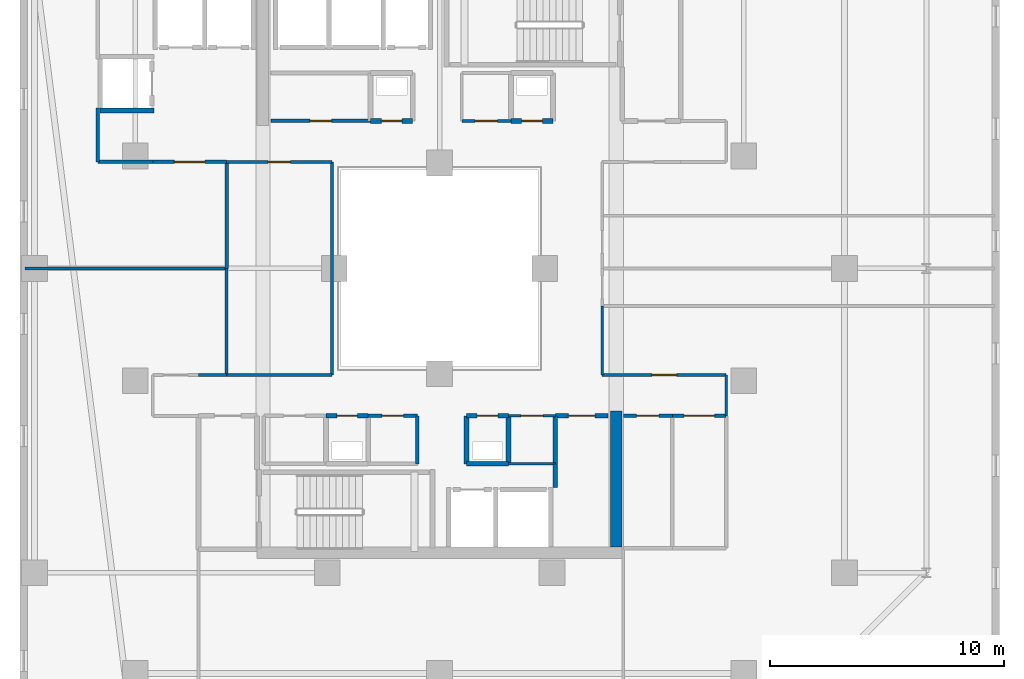
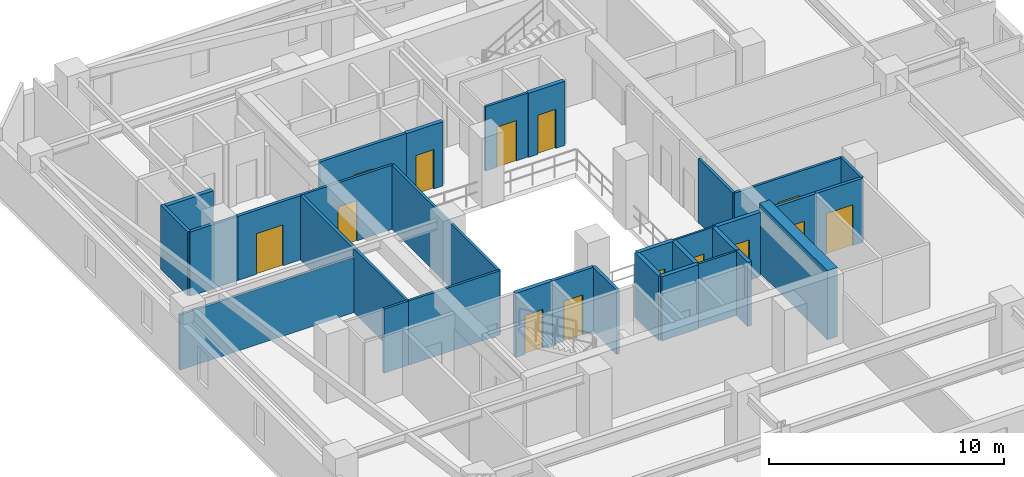
# One storey, part 20 of 33: 33 walls, 14 doors, 14 openings.
"""IFC4 building model written with IfcOpenShell, lengths in metres."""

import ifcopenshell
import ifcopenshell.guid

model = None  # the IFC model being written
_history = None  # IfcOwnerHistory: only IFC2X3 demands one
_inside = {}  # id of a spatial element -> (the spatial element, [elements in it])
_under = {}  # id of a project, library or spatial element -> (it, [spatial elements below it])
_declared = {}  # id of a project -> (the project, [libraries it declares])
_typed = {}  # id of a type object -> (the type object, [elements of that type])
_made_of = {}  # id of a material, layer set ... -> (it, [elements and type objects made of it])


def new_model(schema):
    """Start an empty IFC model of exactly this schema.

    Asked for "IFC4X3", IfcOpenShell would pick the latest addendum, in which some entities
    have other attributes; the version numbers below select the first issue.
    IFC2X3 requires an IfcOwnerHistory on every rooted entity: one is made here for all.
    """
    global model, _history
    if schema == "IFC4X3":
        model = ifcopenshell.file(schema_version=(4, 3, 0, 0))
    else:
        model = ifcopenshell.file(schema=schema)
    _inside.clear()
    _under.clear()
    _declared.clear()
    _typed.clear()
    _made_of.clear()
    _history = None
    if model.schema == "IFC2X3":
        org = make("IfcOrganization", Name="unknown")
        user = make(
            "IfcPersonAndOrganization",
            ThePerson=make("IfcPerson", FamilyName="unknown"),
            TheOrganization=org,
        )
        app = make(
            "IfcApplication",
            ApplicationDeveloper=org,
            Version="unknown",
            ApplicationFullName="unknown",
            ApplicationIdentifier="unknown",
        )
        _history = make(
            "IfcOwnerHistory",
            OwningUser=user,
            OwningApplication=app,
            ChangeAction="ADDED",
            CreationDate=0,
        )
    return model


def make(cls, **values):
    """One entity of the class cls with the attributes given. An attribute that is None is left unset."""
    return model.create_entity(
        cls, **{name: value for name, value in values.items() if value is not None}
    )


def rooted(cls, **values):
    """An entity with a GlobalId (a new one), such as an element, a storey or a relation."""
    return make(cls, GlobalId=ifcopenshell.guid.new(), OwnerHistory=_history, **values)


def si_unit(unit_type, name, prefix=None):
    """IfcSIUnit, for example si_unit("LENGTHUNIT", "METRE", prefix="MILLI")."""
    return make("IfcSIUnit", UnitType=unit_type, Prefix=prefix, Name=name)


def assignment(units):
    """IfcUnitAssignment: the units of a project."""
    return None if units is None else make("IfcUnitAssignment", Units=units)


def point(xyz):
    """IfcCartesianPoint."""
    return None if xyz is None else make("IfcCartesianPoint", Coordinates=xyz)


def direction(xyz):
    """IfcDirection."""
    return None if xyz is None else make("IfcDirection", DirectionRatios=xyz)


def frame(location, z_axis=None, x_axis=None):
    """IfcAxis2Placement3D, a coordinate frame: its origin and axes. An axis left out is left unset."""
    return make(
        "IfcAxis2Placement3D",
        Location=point(location),
        Axis=direction(z_axis),
        RefDirection=direction(x_axis),
    )


def frame_2d(location, x_axis=None):
    """IfcAxis2Placement2D, a coordinate frame in the plane: its origin and x axis."""
    return make(
        "IfcAxis2Placement2D", Location=point(location), RefDirection=direction(x_axis)
    )


def origin():
    """The frame at (0, 0, 0) with its axes left unset."""
    return frame((0.0, 0.0, 0.0))


def place(relative_to, where):
    """IfcLocalPlacement: puts the frame where relative to a parent placement (None: the world)."""
    return make(
        "IfcLocalPlacement", PlacementRelTo=relative_to, RelativePlacement=where
    )


def context(
    kind, dimensions, precision=None, world=None, true_north=None, identifier=None
):
    """IfcGeometricRepresentationContext, for example the 3D "Model" context."""
    return make(
        "IfcGeometricRepresentationContext",
        ContextIdentifier=identifier,
        ContextType=kind,
        CoordinateSpaceDimension=dimensions,
        Precision=precision,
        WorldCoordinateSystem=world,
        TrueNorth=true_north,
    )


def subcontext(parent, identifier, kind, view, scale=None):
    """IfcGeometricRepresentationSubContext, for example "Body" below "Model"."""
    return make(
        "IfcGeometricRepresentationSubContext",
        ContextIdentifier=identifier,
        ContextType=kind,
        ParentContext=parent,
        TargetScale=scale,
        TargetView=view,
    )


def project(units=None, contexts=None):
    """IfcProject with its units and contexts."""
    return rooted(
        "IfcProject",
        Name="project",
        RepresentationContexts=contexts,
        UnitsInContext=assignment(units),
    )


def spatial(cls, under=None, at=None, **own):
    """A site, building, storey or space (cls), placed at a placement, below another one or the project."""
    s = rooted(cls, ObjectPlacement=at, **own)
    if under is not None:
        _under.setdefault(under.id(), (under, []))[1].append(s)
    return s


def profile(cls, at=None, kind="AREA", **sizes):
    """A parametric profile (cls). Its sizes go by their IFC names, for example OverallWidth=200.0."""
    return make(cls, ProfileType=kind, Position=at, **sizes)


def rectangle(**sizes):
    """IfcRectangleProfileDef."""
    return profile("IfcRectangleProfileDef", **sizes)


def extrude(swept, where, along, depth):
    """IfcExtrudedAreaSolid: the profile swept, set in the frame where, extruded along a direction by depth."""
    return make(
        "IfcExtrudedAreaSolid",
        SweptArea=swept,
        Position=where,
        ExtrudedDirection=direction(along),
        Depth=depth,
    )


def shape(context_of_items, identifier, shape_type, items):
    """IfcShapeRepresentation: the items that make up one representation, for example the "Body"."""
    return make(
        "IfcShapeRepresentation",
        ContextOfItems=context_of_items,
        RepresentationIdentifier=identifier,
        RepresentationType=shape_type,
        Items=items,
    )


def material(Name=None, Category=None):
    """IfcMaterial."""
    return make("IfcMaterial", Name=Name, Category=Category)


def layer(
    of_material, thickness, ventilated=None, Name=None, Category=None, Priority=None
):
    """IfcMaterialLayer: one layer of a wall or slab, of a material (None: an air gap)."""
    return make(
        "IfcMaterialLayer",
        Material=of_material,
        LayerThickness=thickness,
        IsVentilated=ventilated,
        Name=Name,
        Category=Category,
        Priority=Priority,
    )


def layer_set(layers, Name=None):
    """IfcMaterialLayerSet."""
    return make("IfcMaterialLayerSet", MaterialLayers=layers, LayerSetName=Name)


def made_of(thing, what):
    """Note that an element or type object is made of a material, layer set ...; save() writes the relation."""
    if what is not None:
        _made_of.setdefault(what.id(), (what, []))[1].append(thing)
    return thing


def type_object(cls, material=None, **own):
    """A type object (cls), such as IfcWallType, which elements share."""
    return made_of(rooted(cls, **own), material)


def element(
    cls,
    number,
    at=None,
    inside=None,
    cuts=None,
    type_object=None,
    material=None,
    context=None,
    identifier="Body",
    shape_type=None,
    held_by="IfcProductDefinitionShape",
    body=None,
    shapes=None,
    **own,
):
    """One element of the class cls, such as IfcWall. Its Tag is "e" and its number.

    at: its placement. inside: the storey or other place that contains it. cuts: it is an
    opening in that element (IfcRelVoidsElement). A single representation is given by context,
    identifier, shape_type and body (its items); several are given by shapes. held_by: the class
    of the entity that holds the representations. save() writes the other relations.
    """
    e = rooted(cls, Tag="e%d" % number, ObjectPlacement=at, **own)
    if body is not None:
        shapes = [shape(context, identifier, shape_type, body)]
    if shapes is not None:
        e.Representation = make(held_by, Representations=shapes)
    if inside is not None:
        _inside.setdefault(inside.id(), (inside, []))[1].append(e)
    if cuts is not None:
        rooted(
            "IfcRelVoidsElement", RelatingBuildingElement=cuts, RelatedOpeningElement=e
        )
    if type_object is not None:
        _typed.setdefault(type_object.id(), (type_object, []))[1].append(e)
    return made_of(e, material)


def fill(opening, filler):
    """IfcRelFillsElement: the door or window that sits in an opening."""
    return rooted(
        "IfcRelFillsElement",
        RelatingOpeningElement=opening,
        RelatedBuildingElement=filler,
    )


def aggregate(whole, parts):
    """IfcRelAggregates: a whole, such as a stair, and the parts it consists of."""
    return rooted("IfcRelAggregates", RelatingObject=whole, RelatedObjects=parts)


def save(model, path):
    """Write the relations noted so far, then the file.

    IfcRelAggregates (storeys below a building ...), IfcRelContainedInSpatialStructure (elements
    in a storey), IfcRelDefinesByType, IfcRelAssociatesMaterial and IfcRelDeclares: one each for
    every whole, place, type object, material and project.
    """
    for whole, parts in _under.values():
        aggregate(whole, parts)
    for where, things in _inside.values():
        rooted(
            "IfcRelContainedInSpatialStructure",
            RelatedElements=things,
            RelatingStructure=where,
        )
    for kind, things in _typed.values():
        rooted("IfcRelDefinesByType", RelatedObjects=things, RelatingType=kind)
    for what, things in _made_of.values():
        rooted("IfcRelAssociatesMaterial", RelatedObjects=things, RelatingMaterial=what)
    for by, libraries in _declared.values():
        rooted("IfcRelDeclares", RelatingContext=by, RelatedDefinitions=libraries)
    model.write(path)


model = new_model("IFC4")

# Units and contexts
model_context = context("Model", 3, precision=1e-05, world=origin(), true_north=direction((0.0, 1.0)))
body_context = subcontext(model_context, "Body", "Model", "MODEL_VIEW")
ifc_project = project(units=[si_unit("LENGTHUNIT", "METRE"), si_unit("AREAUNIT", "SQUARE_METRE"), si_unit("VOLUMEUNIT", "CUBIC_METRE"), si_unit("PLANEANGLEUNIT", "RADIAN"), si_unit("MASSUNIT", "GRAM", prefix="KILO")], contexts=[model_context])

# Site, building, storey
site_placement = place(None, origin())
site = spatial("IfcSite", under=ifc_project, at=site_placement, CompositionType="ELEMENT")
building_placement = place(site_placement, origin())
building = spatial("IfcBuilding", under=site, at=building_placement, Name="Thornwick Lancets Civic Towers", CompositionType="ELEMENT")
storey_placement = place(building_placement, frame((0.0, 0.0, 163.5)))
storey = spatial("IfcBuildingStorey", under=building, at=storey_placement, Name="L43", CompositionType="ELEMENT", Elevation=163.5)

# Walls
ifc_material_1 = material(Name="Concrete blockwork C40/50", Category="masonry")
ifc_layer_1 = layer(ifc_material_1, 0.199951171875, Name="Concrete blockwork C40/50")
ifc_layer_set_1 = layer_set([ifc_layer_1], Name="Concrete blockwork C40/50")
wall_type_1 = type_object("IfcWallType", Name="WALL_COMP_200", PredefinedType="STANDARD", material=ifc_layer_set_1)
wall_1_placement = place(storey_placement, frame((11.001953125, 33.75, 0.0), z_axis=(0.0, 0.0, 1.0), x_axis=(1.0, 0.0, 0.0)))
element("IfcWall", 1, at=wall_1_placement, inside=storey, type_object=wall_type_1, Name="L43 Hoistway Shaft Wall PL-AM3 S", PredefinedType="STANDARD", context=body_context, shape_type="SweptSolid", body=[
    extrude(rectangle(XDim=2.296142578125, YDim=0.199951171875, at=frame_2d((1.14794921875, 0.0))), origin(), (0.0, 0.0, 1.0), 3.340087890625),
])
wall_2_placement = place(storey_placement, frame((26.64990234375, 18.64990234375, 0.0), z_axis=(0.0, 0.0, 1.0), x_axis=(1.0, 0.0, 0.0)))
element("IfcWall", 2, at=wall_2_placement, inside=storey, type_object=wall_type_1, Name="L43 Partition L43-A-DUCT1 E1", PredefinedType="STANDARD", context=body_context, shape_type="SweptSolid", body=[
    extrude(rectangle(XDim=1.800048828125, YDim=0.199951171875, at=frame_2d((0.89990234375, 0.0))), origin(), (0.0, 0.0, 1.0), 3.340087890625),
])
wall_3_placement = place(storey_placement, frame((28.449951171875, 18.64990234375, 0.0), z_axis=(0.0, 0.0, 1.0), x_axis=(0.0, 1.0, 0.0)))
element("IfcWall", 3, at=wall_3_placement, inside=storey, type_object=wall_type_1, Name="L43 Partition L43-A-DUCT1 E2", PredefinedType="STANDARD", context=body_context, shape_type="SweptSolid", body=[
    extrude(rectangle(XDim=2.050048828125, YDim=0.199951171875, at=frame_2d((1.02490234375, 0.0))), origin(), (0.0, 0.0, 1.0), 3.340087890625),
])

# Wall, opening, door
wall_4_placement = place(storey_placement, frame((28.449951171875, 20.699951171875, 0.0), z_axis=(0.0, 0.0, 1.0), x_axis=(-1.0, 0.0, 0.0)))
wall_4 = element("IfcWall", 4, at=wall_4_placement, inside=storey, type_object=wall_type_1, Name="L43 Partition L43-A-DUCT1 E3", PredefinedType="STANDARD", context=body_context, shape_type="SweptSolid", body=[
    extrude(rectangle(XDim=1.800048828125, YDim=0.199951171875, at=frame_2d((0.89990234375, 0.0))), origin(), (0.0, 0.0, 1.0), 3.340087890625),
])
opening_1_placement = place(wall_4_placement, frame((0.4599609375, 0.0, 0.0)))
opening_1 = element("IfcOpeningElement", 5, at=opening_1_placement, cuts=wall_4, Name="Opening D-L43-1913", PredefinedType="OPENING", context=body_context, shape_type="SweptSolid", body=[
    extrude(rectangle(XDim=0.8798828125, YDim=2.0400390625, at=frame_2d((0.43994140625, 1.02001953125))), frame((0.0, 0.10986328125, 0.0), z_axis=(0.0, -1.0, 0.0), x_axis=(1.0, 0.0, 0.0)), (0.0, 0.0, 1.0), 0.219970703125),
])
ifc_material_2 = material(Name="Steel riser access doorset", Category="steel")
door_type_1 = type_object("IfcDoorType", Name="DOOR_RISER_850", OperationType="NOTDEFINED", PredefinedType="DOOR", material=ifc_material_2)
door_1_placement = place(opening_1_placement, origin())
door_1 = element("IfcDoor", 6, at=door_1_placement, inside=storey, type_object=door_type_1, Name="L43 South Service Duct 1 Door", OperationType="SINGLE_SWING_RIGHT", OverallHeight=2.0400390625, OverallWidth=0.8798828125, PredefinedType="DOOR", context=body_context, shape_type="SweptSolid", body=[
    extrude(rectangle(XDim=0.8798828125, YDim=2.0400390625, at=frame_2d((0.43994140625, 1.02001953125))), frame((0.0, 0.02490234375, 0.0), z_axis=(0.0, -1.0, 0.0), x_axis=(1.0, 0.0, 0.0)), (0.0, 0.0, 1.0), 0.050048828125),
])
fill(opening_1, door_1)

# Wall
wall_5_placement = place(storey_placement, frame((26.64990234375, 20.699951171875, 0.0), z_axis=(0.0, 0.0, 1.0), x_axis=(0.0, -1.0, 0.0)))
element("IfcWall", 7, at=wall_5_placement, inside=storey, type_object=wall_type_1, Name="L43 Partition L43-A-DUCT1 E4", PredefinedType="STANDARD", context=body_context, shape_type="SweptSolid", body=[
    extrude(rectangle(XDim=2.050048828125, YDim=0.199951171875, at=frame_2d((1.02490234375, 0.0))), origin(), (0.0, 0.0, 1.0), 3.340087890625),
])

# Wall, opening, door
wall_6_placement = place(storey_placement, frame((22.449951171875, 20.699951171875, 0.0), z_axis=(0.0, 0.0, 1.0), x_axis=(-1.0, 0.0, 0.0)))
wall_6 = element("IfcWall", 8, at=wall_6_placement, inside=storey, type_object=wall_type_1, Name="L43 Partition L43-A-RISER1 E3", PredefinedType="STANDARD", context=body_context, shape_type="SweptSolid", body=[
    extrude(rectangle(XDim=1.800048828125, YDim=0.199951171875, at=frame_2d((0.89990234375, 0.0))), origin(), (0.0, 0.0, 1.0), 3.340087890625),
])
opening_2_placement = place(wall_6_placement, frame((0.4599609375, 0.0, 0.0)))
opening_2 = element("IfcOpeningElement", 9, at=opening_2_placement, cuts=wall_6, Name="Opening D-L43-1914", PredefinedType="OPENING", context=body_context, shape_type="SweptSolid", body=[
    extrude(rectangle(XDim=0.8798828125, YDim=2.0400390625, at=frame_2d((0.43994140625, 1.02001953125))), frame((0.0, 0.10986328125, 0.0), z_axis=(0.0, -1.0, 0.0), x_axis=(1.0, 0.0, 0.0)), (0.0, 0.0, 1.0), 0.219970703125),
])
door_2_placement = place(opening_2_placement, origin())
door_2 = element("IfcDoor", 10, at=door_2_placement, inside=storey, type_object=door_type_1, Name="L43 South Electrical Riser 1 Door", OperationType="SINGLE_SWING_LEFT", OverallHeight=2.0400390625, OverallWidth=0.8798828125, PredefinedType="DOOR", context=body_context, shape_type="SweptSolid", body=[
    extrude(rectangle(XDim=0.8798828125, YDim=2.0400390625, at=frame_2d((0.43994140625, 1.02001953125))), frame((0.0, 0.02490234375, 0.0), z_axis=(0.0, -1.0, 0.0), x_axis=(1.0, 0.0, 0.0)), (0.0, 0.0, 1.0), 0.050048828125),
])
fill(opening_2, door_2)

wall_7_placement = place(storey_placement, frame((22.550048828125, 33.300048828125, 0.0), z_axis=(0.0, 0.0, 1.0), x_axis=(1.0, 0.0, 0.0)))
wall_7 = element("IfcWall", 11, at=wall_7_placement, inside=storey, type_object=wall_type_1, Name="L43 Partition L43-A-DUCT2 E1", PredefinedType="STANDARD", context=body_context, shape_type="SweptSolid", body=[
    extrude(rectangle(XDim=1.800048828125, YDim=0.199951171875, at=frame_2d((0.89990234375, 0.0))), origin(), (0.0, 0.0, 1.0), 3.340087890625),
])
opening_3_placement = place(wall_7_placement, frame((0.4599609375, 0.0, 0.0)))
opening_3 = element("IfcOpeningElement", 12, at=opening_3_placement, cuts=wall_7, Name="Opening D-L43-1915", PredefinedType="OPENING", context=body_context, shape_type="SweptSolid", body=[
    extrude(rectangle(XDim=0.8798828125, YDim=2.0400390625, at=frame_2d((0.43994140625, 1.02001953125))), frame((0.0, 0.10986328125, 0.0), z_axis=(0.0, -1.0, 0.0), x_axis=(1.0, 0.0, 0.0)), (0.0, 0.0, 1.0), 0.219970703125),
])
door_3_placement = place(opening_3_placement, origin())
door_3 = element("IfcDoor", 13, at=door_3_placement, inside=storey, type_object=door_type_1, Name="L43 North Service Duct 2 Door", OperationType="SINGLE_SWING_RIGHT", OverallHeight=2.0400390625, OverallWidth=0.8798828125, PredefinedType="DOOR", context=body_context, shape_type="SweptSolid", body=[
    extrude(rectangle(XDim=0.8798828125, YDim=2.0400390625, at=frame_2d((0.43994140625, 1.02001953125))), frame((0.0, 0.02490234375, 0.0), z_axis=(0.0, -1.0, 0.0), x_axis=(1.0, 0.0, 0.0)), (0.0, 0.0, 1.0), 0.050048828125),
])
fill(opening_3, door_3)

wall_8_placement = place(storey_placement, frame((28.550048828125, 33.300048828125, 0.0), z_axis=(0.0, 0.0, 1.0), x_axis=(1.0, 0.0, 0.0)))
wall_8 = element("IfcWall", 14, at=wall_8_placement, inside=storey, type_object=wall_type_1, Name="L43 Partition L43-A-RISER2 E1", PredefinedType="STANDARD", context=body_context, shape_type="SweptSolid", body=[
    extrude(rectangle(XDim=1.800048828125, YDim=0.199951171875, at=frame_2d((0.89990234375, 0.0))), origin(), (0.0, 0.0, 1.0), 3.340087890625),
])
opening_4_placement = place(wall_8_placement, frame((0.4599609375, 0.0, 0.0)))
opening_4 = element("IfcOpeningElement", 15, at=opening_4_placement, cuts=wall_8, Name="Opening D-L43-1916", PredefinedType="OPENING", context=body_context, shape_type="SweptSolid", body=[
    extrude(rectangle(XDim=0.8798828125, YDim=2.0400390625, at=frame_2d((0.43994140625, 1.02001953125))), frame((0.0, 0.10986328125, 0.0), z_axis=(0.0, -1.0, 0.0), x_axis=(1.0, 0.0, 0.0)), (0.0, 0.0, 1.0), 0.219970703125),
])
door_4_placement = place(opening_4_placement, origin())
door_4 = element("IfcDoor", 16, at=door_4_placement, inside=storey, type_object=door_type_1, Name="L43 North Service Riser 2 Door", OperationType="SINGLE_SWING_LEFT", OverallHeight=2.0400390625, OverallWidth=0.8798828125, PredefinedType="DOOR", context=body_context, shape_type="SweptSolid", body=[
    extrude(rectangle(XDim=0.8798828125, YDim=2.0400390625, at=frame_2d((0.43994140625, 1.02001953125))), frame((0.0, 0.02490234375, 0.0), z_axis=(0.0, -1.0, 0.0), x_axis=(1.0, 0.0, 0.0)), (0.0, 0.0, 1.0), 0.050048828125),
])
fill(opening_4, door_4)

# Walls
wall_9_placement = place(storey_placement, frame((30.449951171875, 17.64794921875, 0.0), z_axis=(0.0, 0.0, 1.0), x_axis=(0.0, 1.0, 0.0)))
element("IfcWall", 17, at=wall_9_placement, inside=storey, type_object=wall_type_1, Name="L43 Partition L43-A-ITR2 E3", PredefinedType="STANDARD", context=body_context, shape_type="SweptSolid", body=[
    extrude(rectangle(XDim=1.001953125, YDim=0.199951171875, at=frame_2d((0.5009765625, 0.0))), origin(), (0.0, 0.0, 1.0), 3.340087890625),
])
wall_10_placement = place(storey_placement, frame((30.449951171875, 18.64990234375, 0.0), z_axis=(0.0, 0.0, 1.0), x_axis=(0.0, 1.0, 0.0)))
element("IfcWall", 18, at=wall_10_placement, inside=storey, type_object=wall_type_1, Name="L43 Partition L43-A-ITR2 E4", PredefinedType="STANDARD", context=body_context, shape_type="SweptSolid", body=[
    extrude(rectangle(XDim=2.050048828125, YDim=0.199951171875, at=frame_2d((1.02490234375, 0.0))), origin(), (0.0, 0.0, 1.0), 3.340087890625),
])

# Wall, opening, door
wall_11_placement = place(storey_placement, frame((30.449951171875, 20.699951171875, 0.0), z_axis=(0.0, 0.0, 1.0), x_axis=(1.0, 0.0, 0.0)))
wall_11 = element("IfcWall", 19, at=wall_11_placement, inside=storey, type_object=wall_type_1, Name="L43 Partition L43-A-ITR2 E5", PredefinedType="STANDARD", context=body_context, shape_type="SweptSolid", body=[
    extrude(rectangle(XDim=2.25, YDim=0.199951171875, at=frame_2d((1.125, 0.0))), origin(), (0.0, 0.0, 1.0), 3.340087890625),
])
opening_5_placement = place(wall_11_placement, frame((0.550048828125, 0.0, 0.0)))
opening_5 = element("IfcOpeningElement", 20, at=opening_5_placement, cuts=wall_11, Name="Opening D-L43-1920", PredefinedType="OPENING", context=body_context, shape_type="SweptSolid", body=[
    extrude(rectangle(XDim=1.14990234375, YDim=2.10009765625, at=frame_2d((0.574951171875, 1.050048828125))), frame((0.0, 0.10986328125, 0.0), z_axis=(0.0, -1.0, 0.0), x_axis=(1.0, 0.0, 0.0)), (0.0, 0.0, 1.0), 0.219970703125),
])
ifc_material_3 = material(Name="Glazed fire-resisting steel", Category="steel")
door_type_2 = type_object("IfcDoorType", Name="DOOR_LOBBY_FD60", OperationType="NOTDEFINED", PredefinedType="DOOR", material=ifc_material_3)
door_5_placement = place(opening_5_placement, origin())
door_5 = element("IfcDoor", 21, at=door_5_placement, inside=storey, type_object=door_type_2, Name="L43 Tower A Statutory Core Archive Door", OperationType="SINGLE_SWING_LEFT", OverallHeight=2.10009765625, OverallWidth=1.14990234375, PredefinedType="DOOR", context=body_context, shape_type="SweptSolid", body=[
    extrude(rectangle(XDim=1.14990234375, YDim=2.10009765625, at=frame_2d((0.574951171875, 1.050048828125))), frame((0.0, 0.02490234375, 0.0), z_axis=(0.0, -1.0, 0.0), x_axis=(1.0, 0.0, 0.0)), (0.0, 0.0, 1.0), 0.050048828125),
])
fill(opening_5, door_5)

# Walls
ifc_material_4 = material(Name="Concrete C50/60", Category="concrete")
ifc_layer_2 = layer(ifc_material_4, 0.5, Name="Concrete C50/60")
ifc_layer_set_2 = layer_set([ifc_layer_2], Name="Concrete C50/60")
wall_type_2 = type_object("IfcWallType", Name="WALL_CORE_500", PredefinedType="SHEAR", material=ifc_layer_set_2)
wall_12_placement = place(storey_placement, frame((33.050048828125, 15.10009765625, 0.0), z_axis=(0.0, 0.0, 1.0), x_axis=(0.0, 1.0, 0.0)))
element("IfcWall", 22, at=wall_12_placement, inside=storey, type_object=wall_type_2, Name="L43 Split Core A1 Shear Wall E", PredefinedType="SHEAR", context=body_context, shape_type="SweptSolid", body=[
    extrude(rectangle(XDim=5.7998046875, YDim=0.5, at=frame_2d((2.89990234375, 0.0))), origin(), (0.0, 0.0, 1.0), 3.60009765625),
])
ifc_material_5 = material(Name="Lightweight cellular office partition")
ifc_layer_3 = layer(ifc_material_5, 0.10009765625, Name="Lightweight cellular office partition")
ifc_layer_set_3 = layer_set([ifc_layer_3], Name="Lightweight cellular office partition")
wall_type_3 = type_object("IfcWallType", Name="WALL_PART_100", PredefinedType="PARTITIONING", material=ifc_layer_set_3)
wall_13_placement = place(storey_placement, frame((30.449951171875, 18.64990234375, 0.0), z_axis=(0.0, 0.0, 1.0), x_axis=(-1.0, 0.0, 0.0)))
element("IfcWall", 23, at=wall_13_placement, inside=storey, type_object=wall_type_3, Name="L43 Partition L43-A-CLN E2", PredefinedType="PARTITIONING", context=body_context, shape_type="SweptSolid", body=[
    extrude(rectangle(XDim=2.0, YDim=0.10009765625, at=frame_2d((1.0, 0.0))), origin(), (0.0, 0.0, 1.0), 3.340087890625),
])

# Wall, opening, door
wall_14_placement = place(storey_placement, frame((28.449951171875, 20.699951171875, 0.0), z_axis=(0.0, 0.0, 1.0), x_axis=(1.0, 0.0, 0.0)))
wall_14 = element("IfcWall", 24, at=wall_14_placement, inside=storey, type_object=wall_type_3, Name="L43 Partition L43-A-CLN E4", PredefinedType="PARTITIONING", context=body_context, shape_type="SweptSolid", body=[
    extrude(rectangle(XDim=2.0, YDim=0.10009765625, at=frame_2d((1.0, 0.0))), origin(), (0.0, 0.0, 1.0), 3.340087890625),
])
opening_6_placement = place(wall_14_placement, frame((0.52490234375, 0.0, 0.0)))
opening_6 = element("IfcOpeningElement", 25, at=opening_6_placement, cuts=wall_14, Name="Opening D-L43-1919", PredefinedType="OPENING", context=body_context, shape_type="SweptSolid", body=[
    extrude(rectangle(XDim=0.949951171875, YDim=2.10009765625, at=frame_2d((0.47509765625, 1.050048828125))), frame((0.0, 0.06005859375, 0.0), z_axis=(0.0, -1.0, 0.0), x_axis=(1.0, 0.0, 0.0)), (0.0, 0.0, 1.0), 0.1201171875),
])
ifc_material_6 = material(Name="European oak acoustic doorset")
door_type_3 = type_object("IfcDoorType", Name="DOOR_OFFICE_950", OperationType="NOTDEFINED", PredefinedType="DOOR", material=ifc_material_6)
door_6_placement = place(opening_6_placement, origin())
door_6 = element("IfcDoor", 26, at=door_6_placement, inside=storey, type_object=door_type_3, Name="L43 Tower A Cleaners Store Door", OperationType="SINGLE_SWING_RIGHT", OverallHeight=2.10009765625, OverallWidth=0.949951171875, PredefinedType="DOOR", context=body_context, shape_type="SweptSolid", body=[
    extrude(rectangle(XDim=0.949951171875, YDim=2.10009765625, at=frame_2d((0.47509765625, 1.050048828125))), frame((0.0, 0.02490234375, 0.0), z_axis=(0.0, -1.0, 0.0), x_axis=(1.0, 0.0, 0.0)), (0.0, 0.0, 1.0), 0.050048828125),
])
fill(opening_6, door_6)

ifc_material_7 = material(Name="Acoustic gypsum board partition")
ifc_layer_4 = layer(ifc_material_7, 0.1201171875, Name="Acoustic gypsum board partition")
ifc_layer_set_4 = layer_set([ifc_layer_4], Name="Acoustic gypsum board partition")
wall_type_4 = type_object("IfcWallType", Name="WALL_PART_120", PredefinedType="PARTITIONING", material=ifc_layer_set_4)
wall_15_placement = place(storey_placement, frame((28.550048828125, 33.300048828125, 0.0), z_axis=(0.0, 0.0, 1.0), x_axis=(-1.0, 0.0, 0.0)))
wall_15 = element("IfcWall", 27, at=wall_15_placement, inside=storey, type_object=wall_type_4, Name="L43 Partition L43-A-ITR E4", PredefinedType="PARTITIONING", context=body_context, shape_type="SweptSolid", body=[
    extrude(rectangle(XDim=2.10009765625, YDim=0.1201171875, at=frame_2d((1.050048828125, 0.0))), origin(), (0.0, 0.0, 1.0), 3.340087890625),
])
opening_7_placement = place(wall_15_placement, frame((0.574951171875, 0.0, 0.0)))
opening_7 = element("IfcOpeningElement", 28, at=opening_7_placement, cuts=wall_15, Name="Opening D-L43-1922", PredefinedType="OPENING", context=body_context, shape_type="SweptSolid", body=[
    extrude(rectangle(XDim=0.949951171875, YDim=2.10009765625, at=frame_2d((0.47509765625, 1.050048828125))), frame((0.0, 0.070068359375, 0.0), z_axis=(0.0, -1.0, 0.0), x_axis=(1.0, 0.0, 0.0)), (0.0, 0.0, 1.0), 0.14013671875),
])
door_7_placement = place(opening_7_placement, origin())
door_7 = element("IfcDoor", 29, at=door_7_placement, inside=storey, type_object=door_type_3, Name="L43 Tower A Comms Patch Room Door", OperationType="SINGLE_SWING_LEFT", OverallHeight=2.10009765625, OverallWidth=0.949951171875, PredefinedType="DOOR", context=body_context, shape_type="SweptSolid", body=[
    extrude(rectangle(XDim=0.949951171875, YDim=2.10009765625, at=frame_2d((0.47509765625, 1.050048828125))), frame((0.0, 0.02490234375, 0.0), z_axis=(0.0, -1.0, 0.0), x_axis=(1.0, 0.0, 0.0)), (0.0, 0.0, 1.0), 0.050048828125),
])
fill(opening_7, door_7)

# Walls
wall_16_placement = place(storey_placement, frame((16.39990234375, 27.0, 0.0), z_axis=(0.0, 0.0, 1.0), x_axis=(0.0, -1.0, 0.0)))
element("IfcWall", 30, at=wall_16_placement, inside=storey, type_object=wall_type_4, Name="L43 Partition L43-A-W1 E1", PredefinedType="PARTITIONING", context=body_context, shape_type="SweptSolid", body=[
    extrude(rectangle(XDim=4.550048828125, YDim=0.1201171875, at=frame_2d((2.27490234375, 0.0))), origin(), (0.0, 0.0, 1.0), 3.340087890625),
])
wall_17_placement = place(storey_placement, frame((16.39990234375, 22.449951171875, 0.0), z_axis=(0.0, 0.0, 1.0), x_axis=(-1.0, 0.0, 0.0)))
element("IfcWall", 31, at=wall_17_placement, inside=storey, type_object=wall_type_4, Name="L43 Partition L43-A-W1 E2", PredefinedType="PARTITIONING", context=body_context, shape_type="SweptSolid", body=[
    extrude(rectangle(XDim=1.199951171875, YDim=0.1201171875, at=frame_2d((0.60009765625, 0.0))), origin(), (0.0, 0.0, 1.0), 3.340087890625),
])
wall_18_placement = place(storey_placement, frame((7.780029296875, 27.0, 0.0), z_axis=(0.0, 0.0, 1.0), x_axis=(1.0, 0.0, 0.0)))
element("IfcWall", 32, at=wall_18_placement, inside=storey, type_object=wall_type_4, Name="L43 Partition L43-A-W1 E11", PredefinedType="PARTITIONING", context=body_context, shape_type="SweptSolid", body=[
    extrude(rectangle(XDim=8.619873046875, YDim=0.1201171875, at=frame_2d((4.31005859375, 0.0))), origin(), (0.0, 0.0, 1.0), 2.877685546875),
])

# Wall, opening, door
wall_19_placement = place(storey_placement, frame((16.39990234375, 31.550048828125, 0.0), z_axis=(0.0, 0.0, 1.0), x_axis=(1.0, 0.0, 0.0)))
wall_19 = element("IfcWall", 33, at=wall_19_placement, inside=storey, type_object=wall_type_4, Name="L43 Partition L43-A-W3 E3", PredefinedType="PARTITIONING", context=body_context, shape_type="SweptSolid", body=[
    extrude(rectangle(XDim=4.5, YDim=0.1201171875, at=frame_2d((2.25, 0.0))), origin(), (0.0, 0.0, 1.0), 3.340087890625),
])
opening_8_placement = place(wall_19_placement, frame((1.77490234375, 0.0, 0.0)))
opening_8 = element("IfcOpeningElement", 34, at=opening_8_placement, cuts=wall_19, Name="Opening D-L43-1939", PredefinedType="OPENING", context=body_context, shape_type="SweptSolid", body=[
    extrude(rectangle(XDim=0.949951171875, YDim=2.10009765625, at=frame_2d((0.47509765625, 1.050048828125))), frame((0.0, 0.070068359375, 0.0), z_axis=(0.0, -1.0, 0.0), x_axis=(1.0, 0.0, 0.0)), (0.0, 0.0, 1.0), 0.14013671875),
])
door_8_placement = place(opening_8_placement, origin())
door_8 = element("IfcDoor", 35, at=door_8_placement, inside=storey, type_object=door_type_3, Name="L43 Tower A West Atrium Reading Lounge Door", OperationType="SINGLE_SWING_RIGHT", OverallHeight=2.10009765625, OverallWidth=0.949951171875, PredefinedType="DOOR", context=body_context, shape_type="SweptSolid", body=[
    extrude(rectangle(XDim=0.949951171875, YDim=2.10009765625, at=frame_2d((0.47509765625, 1.050048828125))), frame((0.0, 0.02490234375, 0.0), z_axis=(0.0, -1.0, 0.0), x_axis=(1.0, 0.0, 0.0)), (0.0, 0.0, 1.0), 0.050048828125),
])
fill(opening_8, door_8)

# Walls
wall_20_placement = place(storey_placement, frame((20.89990234375, 31.550048828125, 0.0), z_axis=(0.0, 0.0, 1.0), x_axis=(0.0, -1.0, 0.0)))
element("IfcWall", 36, at=wall_20_placement, inside=storey, type_object=wall_type_4, Name="L43 Partition L43-A-W3 E4", PredefinedType="PARTITIONING", context=body_context, shape_type="SweptSolid", body=[
    extrude(rectangle(XDim=9.10009765625, YDim=0.1201171875, at=frame_2d((4.550048828125, 0.0))), origin(), (0.0, 0.0, 1.0), 3.340087890625),
])
wall_21_placement = place(storey_placement, frame((20.89990234375, 22.449951171875, 0.0), z_axis=(0.0, 0.0, 1.0), x_axis=(-1.0, 0.0, 0.0)))
element("IfcWall", 37, at=wall_21_placement, inside=storey, type_object=wall_type_4, Name="L43 Partition L43-A-W3 E5", PredefinedType="PARTITIONING", context=body_context, shape_type="SweptSolid", body=[
    extrude(rectangle(XDim=4.5, YDim=0.1201171875, at=frame_2d((2.25, 0.0))), origin(), (0.0, 0.0, 1.0), 3.340087890625),
])
wall_22_placement = place(storey_placement, frame((37.75, 20.699951171875, 0.0), z_axis=(0.0, 0.0, 1.0), x_axis=(0.0, 1.0, 0.0)))
element("IfcWall", 38, at=wall_22_placement, inside=storey, type_object=wall_type_4, Name="L43 Partition L43-A-E1 E6", PredefinedType="PARTITIONING", context=body_context, shape_type="SweptSolid", body=[
    extrude(rectangle(XDim=1.75, YDim=0.1201171875, at=frame_2d((0.875, 0.0))), origin(), (0.0, 0.0, 1.0), 3.340087890625),
])

# Wall, opening, door
wall_23_placement = place(storey_placement, frame((37.75, 22.449951171875, 0.0), z_axis=(0.0, 0.0, 1.0), x_axis=(-1.0, 0.0, 0.0)))
wall_23 = element("IfcWall", 39, at=wall_23_placement, inside=storey, type_object=wall_type_4, Name="L43 Partition L43-A-E1 E7", PredefinedType="PARTITIONING", context=body_context, shape_type="SweptSolid", body=[
    extrude(rectangle(XDim=5.300048828125, YDim=0.1201171875, at=frame_2d((2.64990234375, 0.0))), origin(), (0.0, 0.0, 1.0), 3.340087890625),
])
opening_9_placement = place(wall_23_placement, frame((2.125, 0.0, 0.0)))
opening_9 = element("IfcOpeningElement", 40, at=opening_9_placement, cuts=wall_23, Name="Opening D-L43-1940", PredefinedType="OPENING", context=body_context, shape_type="SweptSolid", body=[
    extrude(rectangle(XDim=1.050048828125, YDim=2.10009765625, at=frame_2d((0.52490234375, 1.050048828125))), frame((0.0, 0.070068359375, 0.0), z_axis=(0.0, -1.0, 0.0), x_axis=(1.0, 0.0, 0.0)), (0.0, 0.0, 1.0), 0.14013671875),
])
ifc_material_8 = material(Name="Glazed European oak executive doorset")
door_type_4 = type_object("IfcDoorType", Name="DOOR_OFFICE_1050", OperationType="NOTDEFINED", PredefinedType="DOOR", material=ifc_material_8)
door_9_placement = place(opening_9_placement, origin())
door_9 = element("IfcDoor", 41, at=door_9_placement, inside=storey, type_object=door_type_4, Name="L43 Tower A Secretariat Open Office E1 Door", OperationType="SINGLE_SWING_LEFT", OverallHeight=2.10009765625, OverallWidth=1.050048828125, PredefinedType="DOOR", context=body_context, shape_type="SweptSolid", body=[
    extrude(rectangle(XDim=1.050048828125, YDim=2.10009765625, at=frame_2d((0.52490234375, 1.050048828125))), frame((0.0, 0.02490234375, 0.0), z_axis=(0.0, -1.0, 0.0), x_axis=(1.0, 0.0, 0.0)), (0.0, 0.0, 1.0), 0.050048828125),
])
fill(opening_9, door_9)

# Walls
wall_24_placement = place(storey_placement, frame((32.449951171875, 22.449951171875, 0.0), z_axis=(0.0, 0.0, 1.0), x_axis=(0.0, 1.0, 0.0)))
element("IfcWall", 42, at=wall_24_placement, inside=storey, type_object=wall_type_4, Name="L43 Partition L43-A-E1 E8", PredefinedType="PARTITIONING", context=body_context, shape_type="SweptSolid", body=[
    extrude(rectangle(XDim=2.949951171875, YDim=0.1201171875, at=frame_2d((1.47509765625, 0.0))), origin(), (0.0, 0.0, 1.0), 3.340087890625),
])
ifc_material_9 = material(Name="Twin-stud acoustic gypsum board")
ifc_layer_5 = layer(ifc_material_9, 0.14990234375, Name="Twin-stud acoustic gypsum board")
ifc_layer_set_5 = layer_set([ifc_layer_5], Name="Twin-stud acoustic gypsum board")
wall_type_5 = type_object("IfcWallType", Name="WALL_PART_150", PredefinedType="PARTITIONING", material=ifc_layer_set_5)
wall_25_placement = place(storey_placement, frame((24.550048828125, 20.699951171875, 0.0), z_axis=(0.0, 0.0, 1.0), x_axis=(0.0, -1.0, 0.0)))
element("IfcWall", 43, at=wall_25_placement, inside=storey, type_object=wall_type_5, Name="L43 Partition L43-A-AWC E1", PredefinedType="PARTITIONING", context=body_context, shape_type="SweptSolid", body=[
    extrude(rectangle(XDim=2.050048828125, YDim=0.14990234375, at=frame_2d((1.02490234375, 0.0))), origin(), (0.0, 0.0, 1.0), 3.340087890625),
])

# Wall, opening, door
wall_26_placement = place(storey_placement, frame((22.449951171875, 20.699951171875, 0.0), z_axis=(0.0, 0.0, 1.0), x_axis=(1.0, 0.0, 0.0)))
wall_26 = element("IfcWall", 44, at=wall_26_placement, inside=storey, type_object=wall_type_5, Name="L43 Partition L43-A-AWC E4", PredefinedType="PARTITIONING", context=body_context, shape_type="SweptSolid", body=[
    extrude(rectangle(XDim=2.10009765625, YDim=0.14990234375, at=frame_2d((1.050048828125, 0.0))), origin(), (0.0, 0.0, 1.0), 3.340087890625),
])
opening_10_placement = place(wall_26_placement, frame((0.590087890625, 0.0, 0.0)))
opening_10 = element("IfcOpeningElement", 45, at=opening_10_placement, cuts=wall_26, Name="Opening D-L43-1918", PredefinedType="OPENING", context=body_context, shape_type="SweptSolid", body=[
    extrude(rectangle(XDim=0.919921875, YDim=2.080078125, at=frame_2d((0.4599609375, 1.0400390625))), frame((0.0, 0.0849609375, 0.0), z_axis=(0.0, -1.0, 0.0), x_axis=(1.0, 0.0, 0.0)), (0.0, 0.0, 1.0), 0.169921875),
])
ifc_material_10 = material(Name="Moisture-resistant oak doorset")
door_type_5 = type_object("IfcDoorType", Name="DOOR_WC_900", OperationType="NOTDEFINED", PredefinedType="DOOR", material=ifc_material_10)
door_10_placement = place(opening_10_placement, origin())
door_10 = element("IfcDoor", 46, at=door_10_placement, inside=storey, type_object=door_type_5, Name="L43 Tower A Accessible WC Door", OperationType="SINGLE_SWING_LEFT", OverallHeight=2.080078125, OverallWidth=0.919921875, PredefinedType="DOOR", context=body_context, shape_type="SweptSolid", body=[
    extrude(rectangle(XDim=0.919921875, YDim=2.080078125, at=frame_2d((0.4599609375, 1.0400390625))), frame((0.0, 0.02490234375, 0.0), z_axis=(0.0, -1.0, 0.0), x_axis=(1.0, 0.0, 0.0)), (0.0, 0.0, 1.0), 0.050048828125),
])
fill(opening_10, door_10)

wall_27_placement = place(storey_placement, frame((22.550048828125, 33.300048828125, 0.0), z_axis=(0.0, 0.0, 1.0), x_axis=(-1.0, 0.0, 0.0)))
wall_27 = element("IfcWall", 47, at=wall_27_placement, inside=storey, type_object=wall_type_5, Name="L43 Partition L43-A-FWC E4", PredefinedType="PARTITIONING", context=body_context, shape_type="SweptSolid", body=[
    extrude(rectangle(XDim=4.25, YDim=0.14990234375, at=frame_2d((2.125, 0.0))), origin(), (0.0, 0.0, 1.0), 3.340087890625),
])
opening_11_placement = place(wall_27_placement, frame((1.6650390625, 0.0, 0.0)))
opening_11 = element("IfcOpeningElement", 48, at=opening_11_placement, cuts=wall_27, Name="Opening D-L43-1921", PredefinedType="OPENING", context=body_context, shape_type="SweptSolid", body=[
    extrude(rectangle(XDim=0.919921875, YDim=2.080078125, at=frame_2d((0.4599609375, 1.0400390625))), frame((0.0, 0.0849609375, 0.0), z_axis=(0.0, -1.0, 0.0), x_axis=(1.0, 0.0, 0.0)), (0.0, 0.0, 1.0), 0.169921875),
])
door_11_placement = place(opening_11_placement, origin())
door_11 = element("IfcDoor", 49, at=door_11_placement, inside=storey, type_object=door_type_5, Name="L43 Tower A Female WC Door", OperationType="SINGLE_SWING_RIGHT", OverallHeight=2.080078125, OverallWidth=0.919921875, PredefinedType="DOOR", context=body_context, shape_type="SweptSolid", body=[
    extrude(rectangle(XDim=0.919921875, YDim=2.080078125, at=frame_2d((0.4599609375, 1.0400390625))), frame((0.0, 0.02490234375, 0.0), z_axis=(0.0, -1.0, 0.0), x_axis=(1.0, 0.0, 0.0)), (0.0, 0.0, 1.0), 0.050048828125),
])
fill(opening_11, door_11)

wall_28_placement = place(storey_placement, frame((33.35009765625, 20.699951171875, 0.0), z_axis=(0.0, 0.0, 1.0), x_axis=(1.0, 0.0, 0.0)))
wall_28 = element("IfcWall", 50, at=wall_28_placement, inside=storey, type_object=wall_type_5, Name="L43 Partition L43-A-RECLAIM-L1 E3", PredefinedType="PARTITIONING", context=body_context, shape_type="SweptSolid", body=[
    extrude(rectangle(XDim=2.099853515625, YDim=0.14990234375, at=frame_2d((1.0498046875, 0.0))), origin(), (0.0, 0.0, 1.0), 3.340087890625),
])
opening_12_placement = place(wall_28_placement, frame((0.574951171875, 0.0, 0.0)))
opening_12 = element("IfcOpeningElement", 51, at=opening_12_placement, cuts=wall_28, Name="Opening D-L43-1935", PredefinedType="OPENING", context=body_context, shape_type="SweptSolid", body=[
    extrude(rectangle(XDim=0.949951171875, YDim=2.10009765625, at=frame_2d((0.47509765625, 1.050048828125))), frame((0.0, 0.0849609375, 0.0), z_axis=(0.0, -1.0, 0.0), x_axis=(1.0, 0.0, 0.0)), (0.0, 0.0, 1.0), 0.169921875),
])
door_12_placement = place(opening_12_placement, origin())
door_12 = element("IfcDoor", 52, at=door_12_placement, inside=storey, type_object=door_type_3, Name="L43 Tower A Policy Archive Door", OperationType="SINGLE_SWING_RIGHT", OverallHeight=2.10009765625, OverallWidth=0.949951171875, PredefinedType="DOOR", context=body_context, shape_type="SweptSolid", body=[
    extrude(rectangle(XDim=0.949951171875, YDim=2.10009765625, at=frame_2d((0.47509765625, 1.050048828125))), frame((0.0, 0.02490234375, 0.0), z_axis=(0.0, -1.0, 0.0), x_axis=(1.0, 0.0, 0.0)), (0.0, 0.0, 1.0), 0.050048828125),
])
fill(opening_12, door_12)

wall_29_placement = place(storey_placement, frame((35.449951171875, 20.699951171875, 0.0), z_axis=(0.0, 0.0, 1.0), x_axis=(1.0, 0.0, 0.0)))
wall_29 = element("IfcWall", 53, at=wall_29_placement, inside=storey, type_object=wall_type_5, Name="L43 Partition L43-A-RECLAIM-L2 E3", PredefinedType="PARTITIONING", context=body_context, shape_type="SweptSolid", body=[
    extrude(rectangle(XDim=2.300048828125, YDim=0.14990234375, at=frame_2d((1.14990234375, 0.0))), origin(), (0.0, 0.0, 1.0), 3.340087890625),
])
opening_13_placement = place(wall_29_placement, frame((0.5, 0.0, 0.0)))
opening_13 = element("IfcOpeningElement", 54, at=opening_13_placement, cuts=wall_29, Name="Opening D-L43-1936", PredefinedType="OPENING", context=body_context, shape_type="SweptSolid", body=[
    extrude(rectangle(XDim=1.300048828125, YDim=2.1201171875, at=frame_2d((0.64990234375, 1.06005859375))), frame((0.0, 0.0849609375, 0.0), z_axis=(0.0, -1.0, 0.0), x_axis=(1.0, 0.0, 0.0)), (0.0, 0.0, 1.0), 0.169921875),
])
ifc_material_11 = material(Name="Acoustic oak leaf-and-a-half doorset")
door_type_6 = type_object("IfcDoorType", Name="DOOR_MEET_1300", OperationType="DOUBLE_DOOR_SINGLE_SWING", PredefinedType="DOOR", material=ifc_material_11)
door_13_placement = place(opening_13_placement, origin())
door_13 = element("IfcDoor", 55, at=door_13_placement, inside=storey, type_object=door_type_6, Name="L43 Tower A Ministerial Consultation Room Door", OperationType="DOUBLE_DOOR_SINGLE_SWING", OverallHeight=2.1201171875, OverallWidth=1.300048828125, PredefinedType="DOOR", context=body_context, shape_type="SweptSolid", body=[
    extrude(rectangle(XDim=1.300048828125, YDim=2.1201171875, at=frame_2d((0.64990234375, 1.06005859375))), frame((0.0, 0.02490234375, 0.0), z_axis=(0.0, -1.0, 0.0), x_axis=(1.0, 0.0, 0.0)), (0.0, 0.0, 1.0), 0.050048828125),
])
fill(opening_13, door_13)

wall_30_placement = place(storey_placement, frame((13.25, 31.550048828125, 0.0), z_axis=(0.0, 0.0, 1.0), x_axis=(1.0, 0.0, 0.0)))
wall_30 = element("IfcWall", 56, at=wall_30_placement, inside=storey, type_object=wall_type_5, Name="L43 Partition L43-A-W2 E1", PredefinedType="PARTITIONING", context=body_context, shape_type="SweptSolid", body=[
    extrude(rectangle(XDim=3.14990234375, YDim=0.14990234375, at=frame_2d((1.574951171875, 0.0))), origin(), (0.0, 0.0, 1.0), 3.340087890625),
])
opening_14_placement = place(wall_30_placement, frame((0.925048828125, 0.0, 0.0)))
opening_14 = element("IfcOpeningElement", 57, at=opening_14_placement, cuts=wall_30, Name="Opening D-L43-1938", PredefinedType="OPENING", context=body_context, shape_type="SweptSolid", body=[
    extrude(rectangle(XDim=1.300048828125, YDim=2.1201171875, at=frame_2d((0.64990234375, 1.06005859375))), frame((0.0, 0.0849609375, 0.0), z_axis=(0.0, -1.0, 0.0), x_axis=(1.0, 0.0, 0.0)), (0.0, 0.0, 1.0), 0.169921875),
])
door_14_placement = place(opening_14_placement, origin())
door_14 = element("IfcDoor", 58, at=door_14_placement, inside=storey, type_object=door_type_6, Name="L43 Tower A Policy Briefing Room W2 Door", OperationType="DOUBLE_DOOR_SINGLE_SWING", OverallHeight=2.1201171875, OverallWidth=1.300048828125, PredefinedType="DOOR", context=body_context, shape_type="SweptSolid", body=[
    extrude(rectangle(XDim=1.300048828125, YDim=2.1201171875, at=frame_2d((0.64990234375, 1.06005859375))), frame((0.0, 0.02490234375, 0.0), z_axis=(0.0, -1.0, 0.0), x_axis=(1.0, 0.0, 0.0)), (0.0, 0.0, 1.0), 0.050048828125),
])
fill(opening_14, door_14)

# Walls
wall_31_placement = place(storey_placement, frame((16.39990234375, 31.550048828125, 0.0), z_axis=(0.0, 0.0, 1.0), x_axis=(0.0, -1.0, 0.0)))
element("IfcWall", 59, at=wall_31_placement, inside=storey, type_object=wall_type_5, Name="L43 Partition L43-A-W2 E2", PredefinedType="PARTITIONING", context=body_context, shape_type="SweptSolid", body=[
    extrude(rectangle(XDim=4.550048828125, YDim=0.14990234375, at=frame_2d((2.27490234375, 0.0))), origin(), (0.0, 0.0, 1.0), 3.340087890625),
])
wall_32_placement = place(storey_placement, frame((10.89990234375, 33.862060546875, 0.0), z_axis=(0.0, 0.0, 1.0), x_axis=(0.0, -1.0, 0.0)))
element("IfcWall", 60, at=wall_32_placement, inside=storey, type_object=wall_type_5, Name="L43 Partition L43-A-W2 E7", PredefinedType="PARTITIONING", context=body_context, shape_type="SweptSolid", body=[
    extrude(rectangle(XDim=2.31201171875, YDim=0.14990234375, at=frame_2d((1.156005859375, 0.0))), origin(), (0.0, 0.0, 1.0), 3.340087890625),
])
wall_33_placement = place(storey_placement, frame((10.89990234375, 31.550048828125, 0.0), z_axis=(0.0, 0.0, 1.0), x_axis=(1.0, 0.0, 0.0)))
element("IfcWall", 61, at=wall_33_placement, inside=storey, type_object=wall_type_5, Name="L43 Partition L43-A-W2 E8", PredefinedType="PARTITIONING", context=body_context, shape_type="SweptSolid", body=[
    extrude(rectangle(XDim=2.35009765625, YDim=0.14990234375, at=frame_2d((1.175048828125, 0.0))), origin(), (0.0, 0.0, 1.0), 3.340087890625),
])

save(model, "model.ifc")
